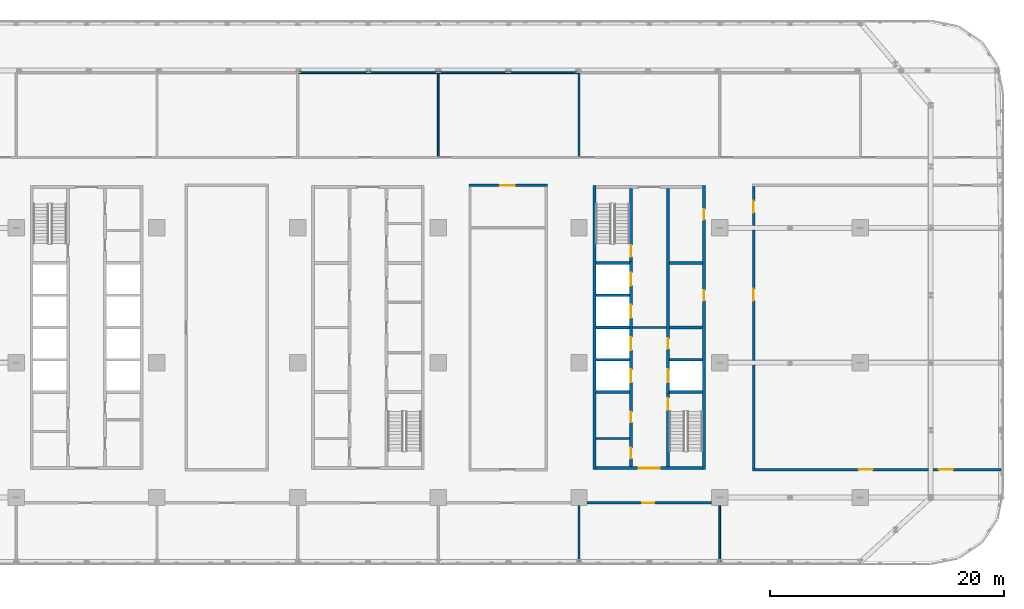
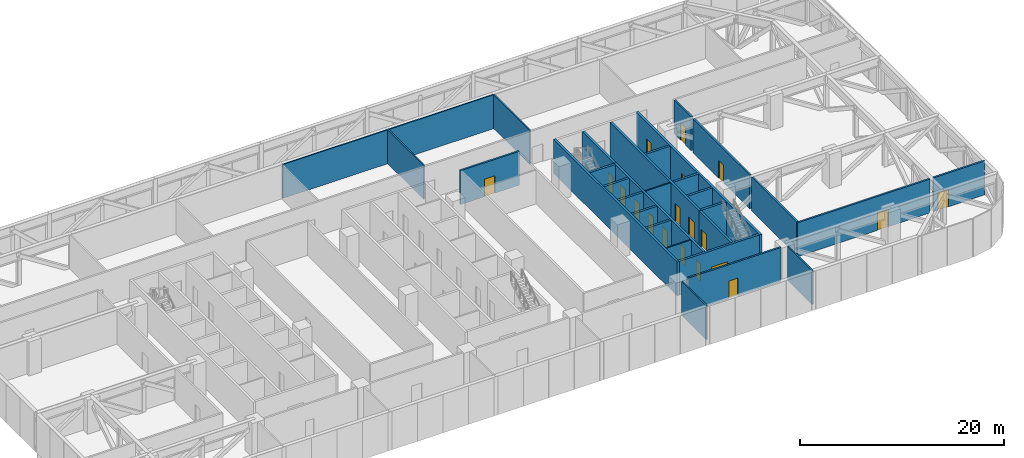
# One storey, part 12 of 26: 31 walls, 19 doors, 19 openings.
"""IFC4 building model written with IfcOpenShell, lengths in metres."""

from ifc_helpers import new_model, si_unit, direction, frame, frame_2d, origin, place, context, subcontext, project, spatial, rectangle, extrude, material, layer, layer_set, type_object, element, fill, save


model = new_model("IFC4")

# Units and contexts
model_context = context("Model", 3, precision=1e-05, world=origin(), true_north=direction((0.0, 1.0)))
body_context = subcontext(model_context, "Body", "Model", "MODEL_VIEW")
ifc_project = project(units=[si_unit("LENGTHUNIT", "METRE"), si_unit("AREAUNIT", "SQUARE_METRE"), si_unit("VOLUMEUNIT", "CUBIC_METRE"), si_unit("PLANEANGLEUNIT", "RADIAN"), si_unit("MASSUNIT", "GRAM", prefix="KILO")], contexts=[model_context])

# Site, building, storey
site_placement = place(None, origin())
site = spatial("IfcSite", under=ifc_project, at=site_placement, CompositionType="ELEMENT")
building_placement = place(site_placement, origin())
building = spatial("IfcBuilding", under=site, at=building_placement, Name="Mahtab Terrace Research Tower", CompositionType="ELEMENT")
storey_placement = place(building_placement, frame((0.0, 0.0, 117.60009765625)))
storey = spatial("IfcBuildingStorey", under=building, at=storey_placement, Name="L27", CompositionType="ELEMENT", Elevation=117.60009765625)

# Walls
ifc_material_1 = material(Name="Gypsum board partition")
ifc_layer_1 = layer(ifc_material_1, 0.14990234375)
ifc_layer_set_1 = layer_set([ifc_layer_1], Name="Core partition 150")
wall_type_1 = type_object("IfcWallType", Name="Core partition 150", PredefinedType="PARTITIONING", material=ifc_layer_set_1)
wall_1_placement = place(storey_placement, frame((22.550048828125, 3.0, 0.0), z_axis=(0.0, 0.0, 1.0), x_axis=(1.0, 0.0, 0.0)))
element("IfcWall", 1, at=wall_1_placement, inside=storey, type_object=wall_type_1, Name="Core wall C ffl", PredefinedType="PARTITIONING", context=body_context, shape_type="SweptSolid", body=[
    extrude(rectangle(XDim=2.89990234375, YDim=0.14990234375, at=frame_2d((1.449951171875, 0.0))), origin(), (0.0, 0.0, 1.0), 4.059814453125),
])
wall_2_placement = place(storey_placement, frame((19.449951171875, -6.47509765625, 0.0), z_axis=(0.0, 0.0, 1.0), x_axis=(1.0, 0.0, 0.0)))
element("IfcWall", 2, at=wall_2_placement, inside=storey, type_object=wall_type_1, Name="Core wall C pWS-948", PredefinedType="PARTITIONING", context=body_context, shape_type="SweptSolid", body=[
    extrude(rectangle(XDim=2.85009765625, YDim=0.14990234375, at=frame_2d((1.425048828125, 0.0))), origin(), (0.0, 0.0, 1.0), 4.059814453125),
])
ifc_material_2 = material(Name="Concrete C70/85", Category="concrete")
ifc_layer_2 = layer(ifc_material_2, 0.25)
ifc_layer_set_2 = layer_set([ifc_layer_2], Name="Core wall 250")
wall_type_2 = type_object("IfcWallType", Name="Core wall 250", PredefinedType="SOLIDWALL", material=ifc_layer_set_2)
wall_3_placement = place(storey_placement, frame((19.324951171875, 15.125, 0.0), z_axis=(0.0, 0.0, 1.0), x_axis=(0.0, -1.0, 0.0)))
element("IfcWall", 3, at=wall_3_placement, inside=storey, type_object=wall_type_2, Name="Core wall C outerW", PredefinedType="SOLIDWALL", context=body_context, shape_type="SweptSolid", body=[
    extrude(rectangle(XDim=24.25, YDim=0.25, at=frame_2d((12.125, 0.0))), origin(), (0.0, 0.0, 1.0), 4.059814453125),
])

# Wall, openings, doors
wall_4_placement = place(storey_placement, frame((28.675048828125, -9.125, 0.0), z_axis=(0.0, 0.0, 1.0), x_axis=(0.0, 1.0, 0.0)))
wall_4 = element("IfcWall", 4, at=wall_4_placement, inside=storey, type_object=wall_type_2, Name="Core wall C outerE", PredefinedType="SOLIDWALL", context=body_context, shape_type="SweptSolid", body=[
    extrude(rectangle(XDim=24.25, YDim=0.25, at=frame_2d((12.125, 0.0))), origin(), (0.0, 0.0, 1.0), 4.059814453125),
])
opening_1_placement = place(wall_4_placement, frame((14.425048828125, 0.0, 0.0)))
opening_1 = element("IfcOpeningElement", 5, at=opening_1_placement, cuts=wall_4, Name="Opening C-R2", PredefinedType="OPENING", context=body_context, shape_type="SweptSolid", body=[
    extrude(rectangle(XDim=0.89990234375, YDim=2.10009765625, at=frame_2d((0.449951171875, 1.050048828125))), frame((0.0, 0.135009765625, 0.0), z_axis=(0.0, -1.0, 0.0), x_axis=(1.0, 0.0, 0.0)), (0.0, 0.0, 1.0), 0.27001953125),
])
opening_2_placement = place(wall_4_placement, frame((21.324951171875, 0.0, 0.0)))
opening_2 = element("IfcOpeningElement", 6, at=opening_2_placement, cuts=wall_4, Name="Opening C-R5", PredefinedType="OPENING", context=body_context, shape_type="SweptSolid", body=[
    extrude(rectangle(XDim=0.89990234375, YDim=2.10009765625, at=frame_2d((0.449951171875, 1.050048828125))), frame((0.0, 0.135009765625, 0.0), z_axis=(0.0, -1.0, 0.0), x_axis=(1.0, 0.0, 0.0)), (0.0, 0.0, 1.0), 0.27001953125),
])
ifc_material_3 = material(Name="Steel fire door", Category="steel")
door_type_1 = type_object("IfcDoorType", Name="Room door 900x2100 1 HR", OperationType="NOTDEFINED", PredefinedType="DOOR", material=ifc_material_3)
door_1_placement = place(opening_1_placement, origin())
door_1 = element("IfcDoor", 7, at=door_1_placement, inside=storey, type_object=door_type_1, Name="Plant room door", OperationType="SINGLE_SWING_RIGHT", OverallHeight=2.10009765625, OverallWidth=0.89990234375, PredefinedType="DOOR", context=body_context, shape_type="SweptSolid", body=[
    extrude(rectangle(XDim=0.89990234375, YDim=2.10009765625, at=frame_2d((0.449951171875, 1.050048828125))), frame((0.0, 0.02490234375, 0.0), z_axis=(0.0, -1.0, 0.0), x_axis=(1.0, 0.0, 0.0)), (0.0, 0.0, 1.0), 0.050048828125),
])
fill(opening_1, door_1)
door_2_placement = place(opening_2_placement, origin())
door_2 = element("IfcDoor", 8, at=door_2_placement, inside=storey, type_object=door_type_1, Name="Gas cylinder store door", OperationType="SINGLE_SWING_LEFT", OverallHeight=2.10009765625, OverallWidth=0.89990234375, PredefinedType="DOOR", context=body_context, shape_type="SweptSolid", body=[
    extrude(rectangle(XDim=0.89990234375, YDim=2.10009765625, at=frame_2d((0.449951171875, 1.050048828125))), frame((0.0, 0.02490234375, 0.0), z_axis=(0.0, -1.0, 0.0), x_axis=(1.0, 0.0, 0.0)), (0.0, 0.0, 1.0), 0.050048828125),
])
fill(opening_2, door_2)

# Wall, opening, door
wall_5_placement = place(storey_placement, frame((28.550048828125, -9.0, 0.0), z_axis=(0.0, 0.0, 1.0), x_axis=(-1.0, 0.0, 0.0)))
wall_5 = element("IfcWall", 9, at=wall_5_placement, inside=storey, type_object=wall_type_2, Name="Core wall C endS", PredefinedType="SOLIDWALL", context=body_context, shape_type="SweptSolid", body=[
    extrude(rectangle(XDim=9.10009765625, YDim=0.25, at=frame_2d((4.550048828125, 0.0))), origin(), (0.0, 0.0, 1.0), 4.059814453125),
])
opening_3_placement = place(wall_5_placement, frame((3.64990234375, 0.0, 0.0)))
opening_3 = element("IfcOpeningElement", 10, at=opening_3_placement, cuts=wall_5, Name="Opening C-S1", PredefinedType="OPENING", context=body_context, shape_type="SweptSolid", body=[
    extrude(rectangle(XDim=1.800048828125, YDim=2.10009765625, at=frame_2d((0.89990234375, 1.050048828125))), frame((0.0, 0.135009765625, 0.0), z_axis=(0.0, -1.0, 0.0), x_axis=(1.0, 0.0, 0.0)), (0.0, 0.0, 1.0), 0.27001953125),
])
door_type_2 = type_object("IfcDoorType", Name="Lobby double door 1800x2100 1 HR", OperationType="DOUBLE_DOOR_SINGLE_SWING", PredefinedType="DOOR", material=ifc_material_3)
door_3_placement = place(opening_3_placement, origin())
door_3 = element("IfcDoor", 11, at=door_3_placement, inside=storey, type_object=door_type_2, Name="Core entrance door C S", OperationType="DOUBLE_DOOR_SINGLE_SWING", OverallHeight=2.10009765625, OverallWidth=1.800048828125, PredefinedType="DOOR", context=body_context, shape_type="SweptSolid", body=[
    extrude(rectangle(XDim=1.800048828125, YDim=2.10009765625, at=frame_2d((0.89990234375, 1.050048828125))), frame((0.0, 0.02490234375, 0.0), z_axis=(0.0, -1.0, 0.0), x_axis=(1.0, 0.0, 0.0)), (0.0, 0.0, 1.0), 0.050048828125),
])
fill(opening_3, door_3)

# Wall, openings, doors
wall_6_placement = place(storey_placement, frame((22.425048828125, -8.875, 0.0), z_axis=(0.0, 0.0, 1.0), x_axis=(0.0, 1.0, 0.0)))
wall_6 = element("IfcWall", 12, at=wall_6_placement, inside=storey, type_object=wall_type_2, Name="Core wall C innerWSL", PredefinedType="SOLIDWALL", context=body_context, shape_type="SweptSolid", body=[
    extrude(rectangle(XDim=17.5, YDim=0.25, at=frame_2d((8.75, 0.0))), origin(), (0.0, 0.0, 1.0), 4.059814453125),
])
opening_4_placement = place(wall_6_placement, frame((7.199951171875, 0.0, 0.0)))
opening_4 = element("IfcOpeningElement", 13, at=opening_4_placement, cuts=wall_6, Name="Opening LD17-L27", PredefinedType="OPENING", context=body_context, shape_type="SweptSolid", body=[
    extrude(rectangle(XDim=1.10009765625, YDim=2.10009765625, at=frame_2d((0.550048828125, 1.050048828125))), frame((0.0, 0.135009765625, 0.0), z_axis=(0.0, -1.0, 0.0), x_axis=(1.0, 0.0, 0.0)), (0.0, 0.0, 1.0), 0.27001953125),
])
opening_5_placement = place(wall_6_placement, frame((9.949951171875, 0.0, 0.0)))
opening_5 = element("IfcOpeningElement", 14, at=opening_5_placement, cuts=wall_6, Name="Opening LD18-L27", PredefinedType="OPENING", context=body_context, shape_type="SweptSolid", body=[
    extrude(rectangle(XDim=1.10009765625, YDim=2.10009765625, at=frame_2d((0.550048828125, 1.050048828125))), frame((0.0, 0.135009765625, 0.0), z_axis=(0.0, -1.0, 0.0), x_axis=(1.0, 0.0, 0.0)), (0.0, 0.0, 1.0), 0.27001953125),
])
opening_6_placement = place(wall_6_placement, frame((12.699951171875, 0.0, 0.0)))
opening_6 = element("IfcOpeningElement", 15, at=opening_6_placement, cuts=wall_6, Name="Opening LD19-L27", PredefinedType="OPENING", context=body_context, shape_type="SweptSolid", body=[
    extrude(rectangle(XDim=1.10009765625, YDim=2.10009765625, at=frame_2d((0.550048828125, 1.050048828125))), frame((0.0, 0.135009765625, 0.0), z_axis=(0.0, -1.0, 0.0), x_axis=(1.0, 0.0, 0.0)), (0.0, 0.0, 1.0), 0.27001953125),
])
opening_7_placement = place(wall_6_placement, frame((15.449951171875, 0.0, 0.0)))
opening_7 = element("IfcOpeningElement", 16, at=opening_7_placement, cuts=wall_6, Name="Opening LD20-L27", PredefinedType="OPENING", context=body_context, shape_type="SweptSolid", body=[
    extrude(rectangle(XDim=1.10009765625, YDim=2.10009765625, at=frame_2d((0.550048828125, 1.050048828125))), frame((0.0, 0.135009765625, 0.0), z_axis=(0.0, -1.0, 0.0), x_axis=(1.0, 0.0, 0.0)), (0.0, 0.0, 1.0), 0.27001953125),
])
opening_8_placement = place(wall_6_placement, frame((0.71240234375, 0.0, 0.0)))
opening_8 = element("IfcOpeningElement", 17, at=opening_8_placement, cuts=wall_6, Name="Opening C-R3", PredefinedType="OPENING", context=body_context, shape_type="SweptSolid", body=[
    extrude(rectangle(XDim=0.89990234375, YDim=2.10009765625, at=frame_2d((0.449951171875, 1.050048828125))), frame((0.0, 0.135009765625, 0.0), z_axis=(0.0, -1.0, 0.0), x_axis=(1.0, 0.0, 0.0)), (0.0, 0.0, 1.0), 0.27001953125),
])
opening_9_placement = place(wall_6_placement, frame((3.78759765625, 0.0, 0.0)))
opening_9 = element("IfcOpeningElement", 18, at=opening_9_placement, cuts=wall_6, Name="Opening C-R4", PredefinedType="OPENING", context=body_context, shape_type="SweptSolid", body=[
    extrude(rectangle(XDim=0.89990234375, YDim=2.10009765625, at=frame_2d((0.449951171875, 1.050048828125))), frame((0.0, 0.135009765625, 0.0), z_axis=(0.0, -1.0, 0.0), x_axis=(1.0, 0.0, 0.0)), (0.0, 0.0, 1.0), 0.27001953125),
])
ifc_material_4 = material(Name="Stainless steel AISI 304", Category="steel")
door_type_3 = type_object("IfcDoorType", Name="Landing door 1100x2100", OperationType="DOUBLE_DOOR_SLIDING", PredefinedType="DOOR", material=ifc_material_4)
door_4_placement = place(opening_4_placement, origin())
door_4 = element("IfcDoor", 19, at=door_4_placement, inside=storey, type_object=door_type_3, Name="Landing door SV1 L27", OperationType="DOUBLE_DOOR_SLIDING", OverallHeight=2.10009765625, OverallWidth=1.10009765625, PredefinedType="DOOR", context=body_context, shape_type="SweptSolid", body=[
    extrude(rectangle(XDim=1.10009765625, YDim=2.10009765625, at=frame_2d((0.550048828125, 1.050048828125))), frame((0.0, 0.02490234375, 0.0), z_axis=(0.0, -1.0, 0.0), x_axis=(1.0, 0.0, 0.0)), (0.0, 0.0, 1.0), 0.050048828125),
])
fill(opening_4, door_4)
door_5_placement = place(opening_5_placement, origin())
door_5 = element("IfcDoor", 20, at=door_5_placement, inside=storey, type_object=door_type_3, Name="Landing door SV2 L27", OperationType="DOUBLE_DOOR_SLIDING", OverallHeight=2.10009765625, OverallWidth=1.10009765625, PredefinedType="DOOR", context=body_context, shape_type="SweptSolid", body=[
    extrude(rectangle(XDim=1.10009765625, YDim=2.10009765625, at=frame_2d((0.550048828125, 1.050048828125))), frame((0.0, 0.02490234375, 0.0), z_axis=(0.0, -1.0, 0.0), x_axis=(1.0, 0.0, 0.0)), (0.0, 0.0, 1.0), 0.050048828125),
])
fill(opening_5, door_5)
door_6_placement = place(opening_6_placement, origin())
door_6 = element("IfcDoor", 21, at=door_6_placement, inside=storey, type_object=door_type_3, Name="Landing door FF1 L27", OperationType="DOUBLE_DOOR_SLIDING", OverallHeight=2.10009765625, OverallWidth=1.10009765625, PredefinedType="DOOR", context=body_context, shape_type="SweptSolid", body=[
    extrude(rectangle(XDim=1.10009765625, YDim=2.10009765625, at=frame_2d((0.550048828125, 1.050048828125))), frame((0.0, 0.02490234375, 0.0), z_axis=(0.0, -1.0, 0.0), x_axis=(1.0, 0.0, 0.0)), (0.0, 0.0, 1.0), 0.050048828125),
])
fill(opening_6, door_6)
door_7_placement = place(opening_7_placement, origin())
door_7 = element("IfcDoor", 22, at=door_7_placement, inside=storey, type_object=door_type_3, Name="Landing door FF2 L27", OperationType="DOUBLE_DOOR_SLIDING", OverallHeight=2.10009765625, OverallWidth=1.10009765625, PredefinedType="DOOR", context=body_context, shape_type="SweptSolid", body=[
    extrude(rectangle(XDim=1.10009765625, YDim=2.10009765625, at=frame_2d((0.550048828125, 1.050048828125))), frame((0.0, 0.02490234375, 0.0), z_axis=(0.0, -1.0, 0.0), x_axis=(1.0, 0.0, 0.0)), (0.0, 0.0, 1.0), 0.050048828125),
])
fill(opening_7, door_7)
door_8_placement = place(opening_8_placement, origin())
door_8 = element("IfcDoor", 23, at=door_8_placement, inside=storey, type_object=door_type_1, Name="Accessible WC door", OperationType="SINGLE_SWING_LEFT", OverallHeight=2.10009765625, OverallWidth=0.89990234375, PredefinedType="DOOR", context=body_context, shape_type="SweptSolid", body=[
    extrude(rectangle(XDim=0.89990234375, YDim=2.10009765625, at=frame_2d((0.449951171875, 1.050048828125))), frame((0.0, 0.02490234375, 0.0), z_axis=(0.0, -1.0, 0.0), x_axis=(1.0, 0.0, 0.0)), (0.0, 0.0, 1.0), 0.050048828125),
])
fill(opening_8, door_8)
door_9_placement = place(opening_9_placement, origin())
door_9 = element("IfcDoor", 24, at=door_9_placement, inside=storey, type_object=door_type_1, Name="WC block door", OperationType="SINGLE_SWING_RIGHT", OverallHeight=2.10009765625, OverallWidth=0.89990234375, PredefinedType="DOOR", context=body_context, shape_type="SweptSolid", body=[
    extrude(rectangle(XDim=0.89990234375, YDim=2.10009765625, at=frame_2d((0.449951171875, 1.050048828125))), frame((0.0, 0.02490234375, 0.0), z_axis=(0.0, -1.0, 0.0), x_axis=(1.0, 0.0, 0.0)), (0.0, 0.0, 1.0), 0.050048828125),
])
fill(opening_9, door_9)

# Wall, opening, door
wall_7_placement = place(storey_placement, frame((22.425048828125, 14.875, 0.0), z_axis=(0.0, 0.0, 1.0), x_axis=(0.0, -1.0, 0.0)))
wall_7 = element("IfcWall", 25, at=wall_7_placement, inside=storey, type_object=wall_type_2, Name="Core wall C innerWN", PredefinedType="SOLIDWALL", context=body_context, shape_type="SweptSolid", body=[
    extrude(rectangle(XDim=6.25, YDim=0.25, at=frame_2d((3.125, 0.0))), origin(), (0.0, 0.0, 1.0), 4.059814453125),
])
opening_10_placement = place(wall_7_placement, frame((4.85009765625, 0.0, 0.0)))
opening_10 = element("IfcOpeningElement", 26, at=opening_10_placement, cuts=wall_7, Name="Opening C-ST3", PredefinedType="OPENING", context=body_context, shape_type="SweptSolid", body=[
    extrude(rectangle(XDim=1.0, YDim=2.10009765625, at=frame_2d((0.5, 1.050048828125))), frame((0.0, 0.135009765625, 0.0), z_axis=(0.0, -1.0, 0.0), x_axis=(1.0, 0.0, 0.0)), (0.0, 0.0, 1.0), 0.27001953125),
])
door_type_4 = type_object("IfcDoorType", Name="Stair door 1000x2100 1.5 HR", OperationType="NOTDEFINED", PredefinedType="DOOR", material=ifc_material_3)
door_10_placement = place(opening_10_placement, origin())
door_10 = element("IfcDoor", 27, at=door_10_placement, inside=storey, type_object=door_type_4, Name="Stair door ST3 L27", OperationType="SINGLE_SWING_RIGHT", OverallHeight=2.10009765625, OverallWidth=1.0, PredefinedType="DOOR", context=body_context, shape_type="SweptSolid", body=[
    extrude(rectangle(XDim=1.0, YDim=2.10009765625, at=frame_2d((0.5, 1.050048828125))), frame((0.0, 0.02490234375, 0.0), z_axis=(0.0, -1.0, 0.0), x_axis=(1.0, 0.0, 0.0)), (0.0, 0.0, 1.0), 0.050048828125),
])
fill(opening_10, door_10)

wall_8_placement = place(storey_placement, frame((25.574951171875, -8.875, 0.0), z_axis=(0.0, 0.0, 1.0), x_axis=(0.0, 1.0, 0.0)))
wall_8 = element("IfcWall", 28, at=wall_8_placement, inside=storey, type_object=wall_type_2, Name="Core wall C innerES", PredefinedType="SOLIDWALL", context=body_context, shape_type="SweptSolid", body=[
    extrude(rectangle(XDim=6.25, YDim=0.25, at=frame_2d((3.125, 0.0))), origin(), (0.0, 0.0, 1.0), 4.059814453125),
])
opening_11_placement = place(wall_8_placement, frame((4.85009765625, 0.0, 0.0)))
opening_11 = element("IfcOpeningElement", 29, at=opening_11_placement, cuts=wall_8, Name="Opening C-ST4", PredefinedType="OPENING", context=body_context, shape_type="SweptSolid", body=[
    extrude(rectangle(XDim=1.0, YDim=2.10009765625, at=frame_2d((0.5, 1.050048828125))), frame((0.0, 0.135009765625, 0.0), z_axis=(0.0, -1.0, 0.0), x_axis=(1.0, 0.0, 0.0)), (0.0, 0.0, 1.0), 0.27001953125),
])
door_11_placement = place(opening_11_placement, origin())
door_11 = element("IfcDoor", 30, at=door_11_placement, inside=storey, type_object=door_type_4, Name="Stair door ST4 L27", OperationType="SINGLE_SWING_LEFT", OverallHeight=2.10009765625, OverallWidth=1.0, PredefinedType="DOOR", context=body_context, shape_type="SweptSolid", body=[
    extrude(rectangle(XDim=1.0, YDim=2.10009765625, at=frame_2d((0.5, 1.050048828125))), frame((0.0, 0.02490234375, 0.0), z_axis=(0.0, -1.0, 0.0), x_axis=(1.0, 0.0, 0.0)), (0.0, 0.0, 1.0), 0.050048828125),
])
fill(opening_11, door_11)

# Wall, openings, doors
wall_9_placement = place(storey_placement, frame((25.574951171875, 14.875, 0.0), z_axis=(0.0, 0.0, 1.0), x_axis=(0.0, -1.0, 0.0)))
wall_9 = element("IfcWall", 31, at=wall_9_placement, inside=storey, type_object=wall_type_2, Name="Core wall C innerELN", PredefinedType="SOLIDWALL", context=body_context, shape_type="SweptSolid", body=[
    extrude(rectangle(XDim=17.5, YDim=0.25, at=frame_2d((8.75, 0.0))), origin(), (0.0, 0.0, 1.0), 4.059814453125),
])
opening_12_placement = place(wall_9_placement, frame((15.449951171875, 0.0, 0.0)))
opening_12 = element("IfcOpeningElement", 32, at=opening_12_placement, cuts=wall_9, Name="Opening LD21-L27", PredefinedType="OPENING", context=body_context, shape_type="SweptSolid", body=[
    extrude(rectangle(XDim=1.10009765625, YDim=2.10009765625, at=frame_2d((0.550048828125, 1.050048828125))), frame((0.0, 0.135009765625, 0.0), z_axis=(0.0, -1.0, 0.0), x_axis=(1.0, 0.0, 0.0)), (0.0, 0.0, 1.0), 0.27001953125),
])
opening_13_placement = place(wall_9_placement, frame((12.800048828125, 0.0, 0.0)))
opening_13 = element("IfcOpeningElement", 33, at=opening_13_placement, cuts=wall_9, Name="Opening C-R1", PredefinedType="OPENING", context=body_context, shape_type="SweptSolid", body=[
    extrude(rectangle(XDim=0.89990234375, YDim=2.10009765625, at=frame_2d((0.449951171875, 1.050048828125))), frame((0.0, 0.135009765625, 0.0), z_axis=(0.0, -1.0, 0.0), x_axis=(1.0, 0.0, 0.0)), (0.0, 0.0, 1.0), 0.27001953125),
])
door_12_placement = place(opening_12_placement, origin())
door_12 = element("IfcDoor", 34, at=door_12_placement, inside=storey, type_object=door_type_3, Name="Landing door SV3 L27", OperationType="DOUBLE_DOOR_SLIDING", OverallHeight=2.10009765625, OverallWidth=1.10009765625, PredefinedType="DOOR", context=body_context, shape_type="SweptSolid", body=[
    extrude(rectangle(XDim=1.10009765625, YDim=2.10009765625, at=frame_2d((0.550048828125, 1.050048828125))), frame((0.0, 0.02490234375, 0.0), z_axis=(0.0, -1.0, 0.0), x_axis=(1.0, 0.0, 0.0)), (0.0, 0.0, 1.0), 0.050048828125),
])
fill(opening_12, door_12)
door_13_placement = place(opening_13_placement, origin())
door_13 = element("IfcDoor", 35, at=door_13_placement, inside=storey, type_object=door_type_1, Name="Plant room door", OperationType="SINGLE_SWING_LEFT", OverallHeight=2.10009765625, OverallWidth=0.89990234375, PredefinedType="DOOR", context=body_context, shape_type="SweptSolid", body=[
    extrude(rectangle(XDim=0.89990234375, YDim=2.10009765625, at=frame_2d((0.449951171875, 1.050048828125))), frame((0.0, 0.02490234375, 0.0), z_axis=(0.0, -1.0, 0.0), x_axis=(1.0, 0.0, 0.0)), (0.0, 0.0, 1.0), 0.050048828125),
])
fill(opening_13, door_13)

# Walls
for number, where, z_axis, x_axis, name in (
    (36, (19.449951171875, -2.5, 0.0), (0.0, 0.0, 1.0), (1.0, 0.0, 0.0), "Core wall C divW0"),
    (37, (19.449951171875, 0.25, 0.0), (0.0, 0.0, 1.0), (1.0, 0.0, 0.0), "Core wall C divW1"),
    (38, (19.449951171875, 3.0, 0.0), (0.0, 0.0, 1.0), (1.0, 0.0, 0.0), "Core wall C divW2"),
    (39, (19.449951171875, 5.75, 0.0), (0.0, 0.0, 1.0), (1.0, 0.0, 0.0), "Core wall C divW3"),
    (40, (19.449951171875, 8.5, 0.0), (0.0, 0.0, 1.0), (1.0, 0.0, 0.0), "Core wall C divW4"),
    (41, (25.699951171875, -2.5, 0.0), (0.0, 0.0, 1.0), (1.0, 0.0, 0.0), "Core wall C divE0"),
    (42, (25.699951171875, 0.25, 0.0), (0.0, 0.0, 1.0), (1.0, 0.0, 0.0), "Core wall C divE1"),
    (43, (25.699951171875, 3.0, 0.0), (0.0, 0.0, 1.0), (1.0, 0.0, 0.0), "Core wall C divE2"),
    (44, (25.699951171875, 8.5, 0.0), (0.0, 0.0, 1.0), (1.0, 0.0, 0.0), "Core wall C divE4"),
):
    element("IfcWall", number, at=place(storey_placement, frame(where, z_axis=z_axis, x_axis=x_axis)), inside=storey, type_object=wall_type_2, Name=name, PredefinedType="SOLIDWALL", context=body_context, shape_type="SweptSolid", body=[
        extrude(rectangle(XDim=2.85009765625, YDim=0.25, at=frame_2d((1.425048828125, 0.0))), origin(), (0.0, 0.0, 1.0), 4.059814453125),
    ])

# Wall, opening, door
ifc_material_5 = material(Name="Gypsum board corridor wall on steel studs", Category="steel")
ifc_layer_3 = layer(ifc_material_5, 0.199951171875)
ifc_layer_set_3 = layer_set([ifc_layer_3], Name="WALL CORRIDOR 200")
wall_type_3 = type_object("IfcWallType", Name="WALL CORRIDOR 200", PredefinedType="PARTITIONING", material=ifc_layer_set_3)
wall_10_placement = place(storey_placement, frame((18.699951171875, -11.949951171875, 0.0), z_axis=(0.0, 0.0, 1.0), x_axis=(1.0, 0.0, 0.0)))
wall_10 = element("IfcWall", 45, at=wall_10_placement, inside=storey, type_object=wall_type_3, Name="L27-W005", PredefinedType="PARTITIONING", context=body_context, shape_type="SweptSolid", body=[
    extrude(rectangle(XDim=10.60009765625, YDim=0.199951171875, at=frame_2d((5.300048828125, 0.0))), origin(), (0.0, 0.0, 1.0), 4.059814453125),
])
opening_14_placement = place(wall_10_placement, frame((4.699951171875, 0.0, 0.0)))
opening_14 = element("IfcOpeningElement", 46, at=opening_14_placement, cuts=wall_10, Name="Opening L27-105", PredefinedType="OPENING", context=body_context, shape_type="SweptSolid", body=[
    extrude(rectangle(XDim=1.0, YDim=2.10009765625, at=frame_2d((0.5, 1.050048828125))), frame((0.0, 0.10986328125, 0.0), z_axis=(0.0, -1.0, 0.0), x_axis=(1.0, 0.0, 0.0)), (0.0, 0.0, 1.0), 0.219970703125),
])
ifc_material_6 = material(Name="Timber door leaf in steel frame", Category="steel")
door_type_5 = type_object("IfcDoorType", Name="DOOR 1000X2100 FD30S", OperationType="SINGLE_SWING_LEFT", PredefinedType="DOOR", material=ifc_material_6)
door_14_placement = place(opening_14_placement, origin())
door_14 = element("IfcDoor", 47, at=door_14_placement, inside=storey, type_object=door_type_5, Name="Door L27-105", OperationType="SINGLE_SWING_RIGHT", OverallHeight=2.10009765625, OverallWidth=1.0, PredefinedType="DOOR", context=body_context, shape_type="SweptSolid", body=[
    extrude(rectangle(XDim=1.0, YDim=2.10009765625, at=frame_2d((0.5, 1.050048828125))), frame((0.0, 0.02490234375, 0.0), z_axis=(0.0, -1.0, 0.0), x_axis=(1.0, 0.0, 0.0)), (0.0, 0.0, 1.0), 0.050048828125),
])
fill(opening_14, door_14)

wall_11_placement = place(storey_placement, frame((32.800048828125, -9.125, 0.0), z_axis=(0.0, 0.0, 1.0), x_axis=(1.0, 0.0, 0.0)))
wall_11 = element("IfcWall", 48, at=wall_11_placement, inside=storey, type_object=wall_type_3, Name="L27-W010", PredefinedType="PARTITIONING", context=body_context, shape_type="SweptSolid", body=[
    extrude(rectangle(XDim=15.0, YDim=0.199951171875, at=frame_2d((7.5, 0.0))), origin(), (0.0, 0.0, 1.0), 4.059814453125),
])
opening_15_placement = place(wall_11_placement, frame((9.050048828125, 0.0, 0.0)))
opening_15 = element("IfcOpeningElement", 49, at=opening_15_placement, cuts=wall_11, Name="Opening L27-108", PredefinedType="OPENING", context=body_context, shape_type="SweptSolid", body=[
    extrude(rectangle(XDim=1.199951171875, YDim=2.10009765625, at=frame_2d((0.60009765625, 1.050048828125))), frame((0.0, 0.10986328125, 0.0), z_axis=(0.0, -1.0, 0.0), x_axis=(1.0, 0.0, 0.0)), (0.0, 0.0, 1.0), 0.219970703125),
])
door_type_6 = type_object("IfcDoorType", Name="DOOR 1200X2100 FD30S", OperationType="SINGLE_SWING_LEFT", PredefinedType="DOOR", material=ifc_material_6)
door_15_placement = place(opening_15_placement, origin())
door_15 = element("IfcDoor", 50, at=door_15_placement, inside=storey, type_object=door_type_6, Name="Door L27-108", OperationType="SINGLE_SWING_RIGHT", OverallHeight=2.10009765625, OverallWidth=1.199951171875, PredefinedType="DOOR", context=body_context, shape_type="SweptSolid", body=[
    extrude(rectangle(XDim=1.199951171875, YDim=2.10009765625, at=frame_2d((0.60009765625, 1.050048828125))), frame((0.0, 0.02490234375, 0.0), z_axis=(0.0, -1.0, 0.0), x_axis=(1.0, 0.0, 0.0)), (0.0, 0.0, 1.0), 0.050048828125),
])
fill(opening_15, door_15)

wall_12_placement = place(storey_placement, frame((48.199951171875, -9.125, 0.0), z_axis=(0.0, 0.0, 1.0), x_axis=(1.0, 0.0, 0.0)))
wall_12 = element("IfcWall", 51, at=wall_12_placement, inside=storey, type_object=wall_type_3, Name="L27-W011", PredefinedType="PARTITIONING", context=body_context, shape_type="SweptSolid", body=[
    extrude(rectangle(XDim=5.800048828125, YDim=0.199951171875, at=frame_2d((2.89990234375, 0.0))), origin(), (0.0, 0.0, 1.0), 4.059814453125),
])
opening_16_placement = place(wall_12_placement, frame((0.5, 0.0, 0.0)))
opening_16 = element("IfcOpeningElement", 52, at=opening_16_placement, cuts=wall_12, Name="Opening L27-109", PredefinedType="OPENING", context=body_context, shape_type="SweptSolid", body=[
    extrude(rectangle(XDim=1.199951171875, YDim=2.10009765625, at=frame_2d((0.60009765625, 1.050048828125))), frame((0.0, 0.10986328125, 0.0), z_axis=(0.0, -1.0, 0.0), x_axis=(1.0, 0.0, 0.0)), (0.0, 0.0, 1.0), 0.219970703125),
])
door_16_placement = place(opening_16_placement, origin())
door_16 = element("IfcDoor", 53, at=door_16_placement, inside=storey, type_object=door_type_6, Name="Door L27-109", OperationType="SINGLE_SWING_LEFT", OverallHeight=2.10009765625, OverallWidth=1.199951171875, PredefinedType="DOOR", context=body_context, shape_type="SweptSolid", body=[
    extrude(rectangle(XDim=1.199951171875, YDim=2.10009765625, at=frame_2d((0.60009765625, 1.050048828125))), frame((0.0, 0.02490234375, 0.0), z_axis=(0.0, -1.0, 0.0), x_axis=(1.0, 0.0, 0.0)), (0.0, 0.0, 1.0), 0.050048828125),
])
fill(opening_16, door_16)

wall_13_placement = place(storey_placement, frame((8.60009765625, 15.125, 0.0), z_axis=(0.0, 0.0, 1.0), x_axis=(1.0, 0.0, 0.0)))
wall_13 = element("IfcWall", 54, at=wall_13_placement, inside=storey, type_object=wall_type_3, Name="L27-W021", PredefinedType="PARTITIONING", context=body_context, shape_type="SweptSolid", body=[
    extrude(rectangle(XDim=6.699951171875, YDim=0.199951171875, at=frame_2d((3.35009765625, 0.0))), origin(), (0.0, 0.0, 1.0), 4.059814453125),
])
opening_17_placement = place(wall_13_placement, frame((2.699951171875, 0.0, 0.0)))
opening_17 = element("IfcOpeningElement", 55, at=opening_17_placement, cuts=wall_13, Name="Opening L27-115", PredefinedType="OPENING", context=body_context, shape_type="SweptSolid", body=[
    extrude(rectangle(XDim=1.199951171875, YDim=2.10009765625, at=frame_2d((0.60009765625, 1.050048828125))), frame((0.0, 0.10986328125, 0.0), z_axis=(0.0, -1.0, 0.0), x_axis=(1.0, 0.0, 0.0)), (0.0, 0.0, 1.0), 0.219970703125),
])
door_17_placement = place(opening_17_placement, origin())
door_17 = element("IfcDoor", 56, at=door_17_placement, inside=storey, type_object=door_type_6, Name="Door L27-115", OperationType="SINGLE_SWING_RIGHT", OverallHeight=2.10009765625, OverallWidth=1.199951171875, PredefinedType="DOOR", context=body_context, shape_type="SweptSolid", body=[
    extrude(rectangle(XDim=1.199951171875, YDim=2.10009765625, at=frame_2d((0.60009765625, 1.050048828125))), frame((0.0, 0.02490234375, 0.0), z_axis=(0.0, -1.0, 0.0), x_axis=(1.0, 0.0, 0.0)), (0.0, 0.0, 1.0), 0.050048828125),
])
fill(opening_17, door_17)

# Wall
wall_14_placement = place(storey_placement, frame((32.89990234375, -9.02490234375, 0.0), z_axis=(0.0, 0.0, 1.0), x_axis=(0.0, 1.0, 0.0)))
element("IfcWall", 57, at=wall_14_placement, inside=storey, type_object=wall_type_3, Name="L27-W052", PredefinedType="PARTITIONING", context=body_context, shape_type="SweptSolid", body=[
    extrude(rectangle(XDim=8.824951171875, YDim=0.199951171875, at=frame_2d((4.41259765625, 0.0))), origin(), (0.0, 0.0, 1.0), 4.059814453125),
])

# Wall, opening, door
wall_15_placement = place(storey_placement, frame((32.89990234375, 0.199951171875, 0.0), z_axis=(0.0, 0.0, 1.0), x_axis=(0.0, 1.0, 0.0)))
wall_15 = element("IfcWall", 58, at=wall_15_placement, inside=storey, type_object=wall_type_3, Name="L27-W053", PredefinedType="PARTITIONING", context=body_context, shape_type="SweptSolid", body=[
    extrude(rectangle(XDim=11.10009765625, YDim=0.199951171875, at=frame_2d((5.550048828125, 0.0))), origin(), (0.0, 0.0, 1.0), 4.059814453125),
])
opening_18_placement = place(wall_15_placement, frame((5.10009765625, 0.0, 0.0)))
opening_18 = element("IfcOpeningElement", 59, at=opening_18_placement, cuts=wall_15, Name="Opening L27-113", PredefinedType="OPENING", context=body_context, shape_type="SweptSolid", body=[
    extrude(rectangle(XDim=1.0, YDim=2.10009765625, at=frame_2d((0.5, 1.050048828125))), frame((0.0, 0.10986328125, 0.0), z_axis=(0.0, -1.0, 0.0), x_axis=(1.0, 0.0, 0.0)), (0.0, 0.0, 1.0), 0.219970703125),
])
door_18_placement = place(opening_18_placement, origin())
door_18 = element("IfcDoor", 60, at=door_18_placement, inside=storey, type_object=door_type_5, Name="Door L27-113", OperationType="SINGLE_SWING_LEFT", OverallHeight=2.10009765625, OverallWidth=1.0, PredefinedType="DOOR", context=body_context, shape_type="SweptSolid", body=[
    extrude(rectangle(XDim=1.0, YDim=2.10009765625, at=frame_2d((0.5, 1.050048828125))), frame((0.0, 0.02490234375, 0.0), z_axis=(0.0, -1.0, 0.0), x_axis=(1.0, 0.0, 0.0)), (0.0, 0.0, 1.0), 0.050048828125),
])
fill(opening_18, door_18)

wall_16_placement = place(storey_placement, frame((32.89990234375, 11.699951171875, 0.0), z_axis=(0.0, 0.0, 1.0), x_axis=(0.0, 1.0, 0.0)))
wall_16 = element("IfcWall", 61, at=wall_16_placement, inside=storey, type_object=wall_type_3, Name="L27-W054", PredefinedType="PARTITIONING", context=body_context, shape_type="SweptSolid", body=[
    extrude(rectangle(XDim=3.324951171875, YDim=0.199951171875, at=frame_2d((1.66259765625, 0.0))), origin(), (0.0, 0.0, 1.0), 4.059814453125),
])
opening_19_placement = place(wall_16_placement, frame((1.10009765625, 0.0, 0.0)))
opening_19 = element("IfcOpeningElement", 62, at=opening_19_placement, cuts=wall_16, Name="Opening L27-116", PredefinedType="OPENING", context=body_context, shape_type="SweptSolid", body=[
    extrude(rectangle(XDim=1.0, YDim=2.10009765625, at=frame_2d((0.5, 1.050048828125))), frame((0.0, 0.10986328125, 0.0), z_axis=(0.0, -1.0, 0.0), x_axis=(1.0, 0.0, 0.0)), (0.0, 0.0, 1.0), 0.219970703125),
])
door_19_placement = place(opening_19_placement, origin())
door_19 = element("IfcDoor", 63, at=door_19_placement, inside=storey, type_object=door_type_5, Name="Door L27-116", OperationType="SINGLE_SWING_RIGHT", OverallHeight=2.10009765625, OverallWidth=1.0, PredefinedType="DOOR", context=body_context, shape_type="SweptSolid", body=[
    extrude(rectangle(XDim=1.0, YDim=2.10009765625, at=frame_2d((0.5, 1.050048828125))), frame((0.0, 0.02490234375, 0.0), z_axis=(0.0, -1.0, 0.0), x_axis=(1.0, 0.0, 0.0)), (0.0, 0.0, 1.0), 0.050048828125),
])
fill(opening_19, door_19)

# Walls
ifc_material_7 = material(Name="Gypsum board partition on steel studs", Category="steel")
ifc_layer_4 = layer(ifc_material_7, 0.14990234375)
ifc_layer_set_4 = layer_set([ifc_layer_4], Name="WALL PARTITION 150")
wall_type_4 = type_object("IfcWallType", Name="WALL PARTITION 150", PredefinedType="PARTITIONING", material=ifc_layer_set_4)
for number, where, z_axis, x_axis, name in (
    (64, (-5.949951171875, 24.72705078125, 0.0), (0.0, 0.0, 1.0), (1.0, 0.0, 0.0), "L27-W028"),
    (65, (6.050048828125, 24.72705078125, 0.0), (0.0, 0.0, 1.0), (1.0, 0.0, 0.0), "L27-W029"),
):
    element("IfcWall", number, at=place(storey_placement, frame(where, z_axis=z_axis, x_axis=x_axis)), inside=storey, type_object=wall_type_4, Name=name, PredefinedType="PARTITIONING", context=body_context, shape_type="SweptSolid", body=[
        extrude(rectangle(XDim=11.89990234375, YDim=0.14990234375, at=frame_2d((5.949951171875, 0.0))), origin(), (0.0, 0.0, 1.0), 4.059814453125),
    ])
wall_17_placement = place(storey_placement, frame((6.0, 17.60009765625, 0.0), z_axis=(0.0, 0.0, 1.0), x_axis=(0.0, 1.0, 0.0)))
element("IfcWall", 66, at=wall_17_placement, inside=storey, type_object=wall_type_4, Name="L27-W045", PredefinedType="PARTITIONING", context=body_context, shape_type="SweptSolid", body=[
    extrude(rectangle(XDim=7.126953125, YDim=0.14990234375, at=frame_2d((3.5634765625, 0.0))), origin(), (0.0, 0.0, 1.0), 4.059814453125),
])
wall_18_placement = place(storey_placement, frame((18.0, -17.0, 0.0), z_axis=(0.0, 0.0, 1.0), x_axis=(0.0, 1.0, 0.0)))
element("IfcWall", 67, at=wall_18_placement, inside=storey, type_object=wall_type_4, Name="L27-W048", PredefinedType="PARTITIONING", context=body_context, shape_type="SweptSolid", body=[
    extrude(rectangle(XDim=4.800048828125, YDim=0.14990234375, at=frame_2d((2.39990234375, 0.0))), origin(), (0.0, 0.0, 1.0), 4.059814453125),
])
wall_19_placement = place(storey_placement, frame((18.0, 17.60009765625, 0.0), z_axis=(0.0, 0.0, 1.0), x_axis=(0.0, 1.0, 0.0)))
element("IfcWall", 68, at=wall_19_placement, inside=storey, type_object=wall_type_4, Name="L27-W049", PredefinedType="PARTITIONING", context=body_context, shape_type="SweptSolid", body=[
    extrude(rectangle(XDim=7.126953125, YDim=0.14990234375, at=frame_2d((3.5634765625, 0.0))), origin(), (0.0, 0.0, 1.0), 4.059814453125),
])
wall_20_placement = place(storey_placement, frame((30.0, -17.0, 0.0), z_axis=(0.0, 0.0, 1.0), x_axis=(0.0, 1.0, 0.0)))
element("IfcWall", 69, at=wall_20_placement, inside=storey, type_object=wall_type_4, Name="L27-W050", PredefinedType="PARTITIONING", context=body_context, shape_type="SweptSolid", body=[
    extrude(rectangle(XDim=4.800048828125, YDim=0.14990234375, at=frame_2d((2.39990234375, 0.0))), origin(), (0.0, 0.0, 1.0), 4.059814453125),
])

save(model, "model.ifc")
